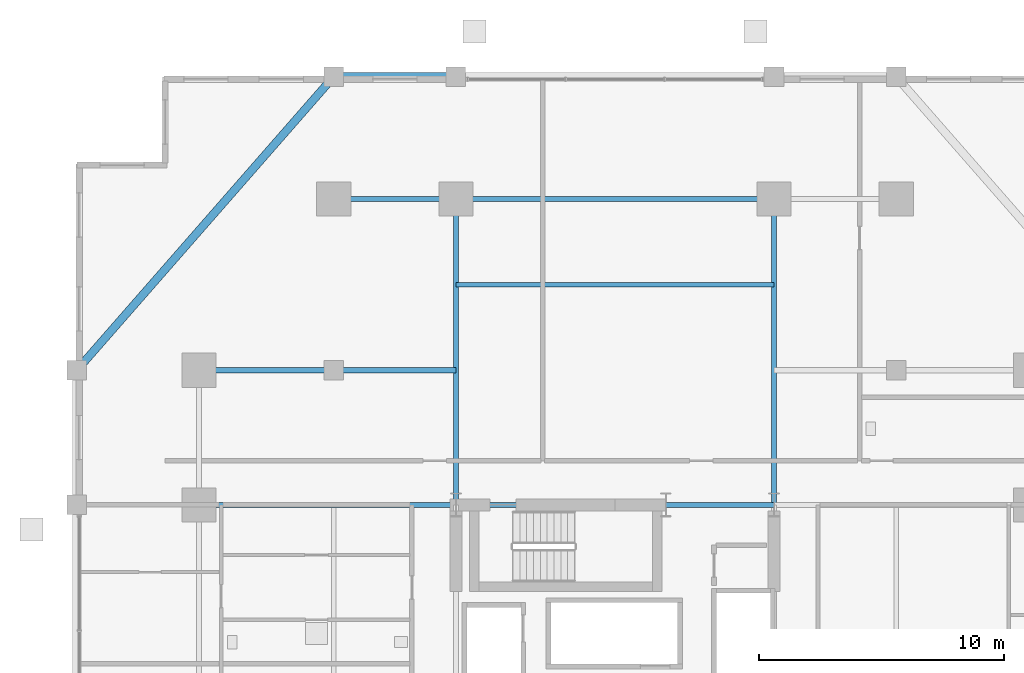
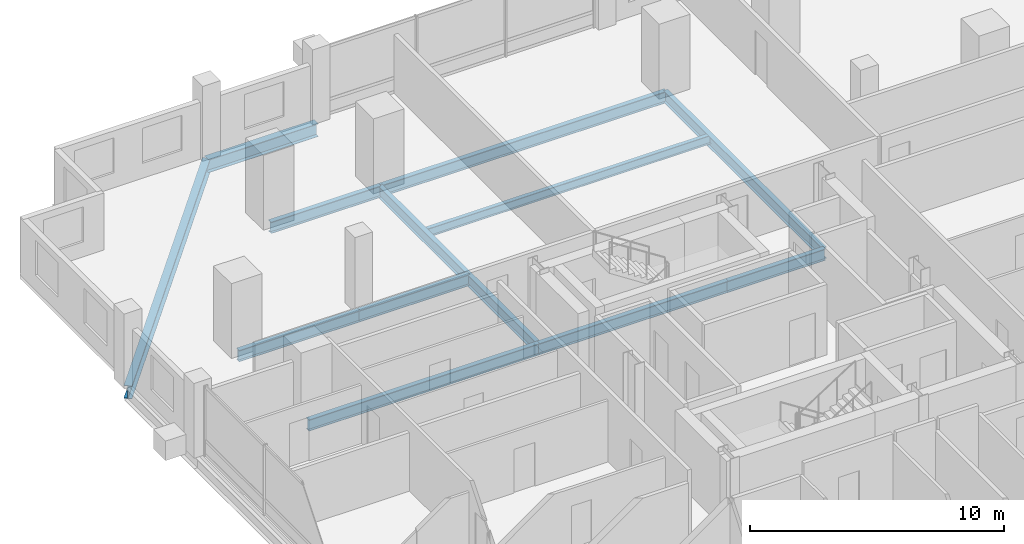
# One storey, part 12 of 23: 12 beams.
"""IFC4 building model written with IfcOpenShell, lengths in metres."""

from ifc_helpers import new_model, si_unit, direction, frame, origin, origin_2d, place, context, subcontext, project, spatial, i_section, extrude, material, material_profile, profile_set, type_object, element, save


model = new_model("IFC4")

# Units and contexts
model_context = context("Model", 3, precision=1e-05, world=origin(), true_north=direction((0.0, 1.0)))
body_context = subcontext(model_context, "Body", "Model", "MODEL_VIEW")
ifc_project = project(units=[si_unit("LENGTHUNIT", "METRE"), si_unit("AREAUNIT", "SQUARE_METRE"), si_unit("VOLUMEUNIT", "CUBIC_METRE"), si_unit("PLANEANGLEUNIT", "RADIAN"), si_unit("MASSUNIT", "GRAM", prefix="KILO")], contexts=[model_context])

# Site, building, storey
site_placement = place(None, origin())
site = spatial("IfcSite", under=ifc_project, at=site_placement, CompositionType="ELEMENT")
building_placement = place(site_placement, origin())
building = spatial("IfcBuilding", under=site, at=building_placement, Name="Barlavira Tower and Art Museum", CompositionType="ELEMENT")
storey_placement = place(building_placement, frame((0.0, 0.0, 54.0)))
storey = spatial("IfcBuildingStorey", under=building, at=storey_placement, Name="L12", CompositionType="ELEMENT", Elevation=54.0)

# Beams
ifc_material = material(Name="Steel S355", Category="steel")
ifc_material_profile_1 = material_profile(ifc_material, i_section(OverallWidth=0.327880859375, OverallDepth=0.62890625, WebThickness=0.013916015625, FlangeThickness=0.021484375, at=origin_2d()), Name="W610x174.0")
ifc_profile_set_1 = profile_set([ifc_material_profile_1], Name="Steel S355")
beam_type_1 = type_object("IfcBeamType", Name="Perimeter Spandrel Edge Beam W610x174 Steel S355", PredefinedType="SPANDREL", material=ifc_profile_set_1)
beam_1_placement = place(storey_placement, frame((-11.5, 25.0, -0.534423828125), z_axis=(1.0, 0.0, 0.0), x_axis=(0.0, 1.0, 0.0)))
element("IfcBeam", 1, at=beam_1_placement, inside=storey, type_object=beam_type_1, Name="L12 Spandrel 11", PredefinedType="SPANDREL", context=body_context, shape_type="SweptSolid", body=[
    extrude(i_section(OverallWidth=0.327880859375, OverallDepth=0.62890625, WebThickness=0.013916015625, FlangeThickness=0.021484375, at=origin_2d()), origin(), (0.0, 0.0, 1.0), 5.0),
])
beam_2_placement = place(storey_placement, frame((-11.5, 25.0, -0.534423828125), z_axis=(-0.658504607869, -0.752576694707, 0.0), x_axis=(0.752576694707, -0.658504607869, 0.0)))
element("IfcBeam", 2, at=beam_2_placement, inside=storey, type_object=beam_type_1, Name="L12 Spandrel 12", PredefinedType="SPANDREL", context=body_context, shape_type="SweptSolid", body=[
    extrude(i_section(OverallWidth=0.327880859375, OverallDepth=0.62890625, WebThickness=0.013916015625, FlangeThickness=0.021484375, at=origin_2d()), origin(), (0.0, 0.0, 1.0), 15.9453125),
])
ifc_material_profile_2 = material_profile(ifc_material, i_section(OverallWidth=0.180908203125, OverallDepth=0.4169921875, WebThickness=0.010986328125, FlangeThickness=0.018310546875, at=origin_2d()), Name="W410x85.0")
ifc_profile_set_2 = profile_set([ifc_material_profile_2], Name="Steel S355")
beam_type_2 = type_object("IfcBeamType", Name="Zone 1 Composite Floor Joist W410x85 Steel S355", PredefinedType="JOIST", material=ifc_profile_set_2)
beam_3_placement = place(storey_placement, frame((-6.5, 16.5, -0.428466796875), z_axis=(1.0, 0.0, 0.0), x_axis=(0.0, 1.0, 0.0)))
element("IfcBeam", 3, at=beam_3_placement, inside=storey, type_object=beam_type_2, Name="L12 Joist C2", PredefinedType="JOIST", context=body_context, shape_type="SweptSolid", body=[
    extrude(i_section(OverallWidth=0.180908203125, OverallDepth=0.4169921875, WebThickness=0.010986328125, FlangeThickness=0.018310546875, at=origin_2d()), origin(), (0.0, 0.0, 1.0), 13.0),
])
ifc_material_profile_3 = material_profile(ifc_material, i_section(OverallWidth=0.214111328125, OverallDepth=0.549072265625, WebThickness=0.0146484375, FlangeThickness=0.023681640625, at=origin_2d()), Name="W530x138.0")
ifc_profile_set_3 = profile_set([ifc_material_profile_3], Name="Steel S355")
beam_type_3 = type_object("IfcBeamType", Name="Zone 1 Primary Floor Girder W530x138 Steel S355", PredefinedType="BEAM", material=ifc_profile_set_3)
beam_4_placement = place(storey_placement, frame((-6.5, 7.5, -0.494384765625), z_axis=(1.0, 0.0, 0.0), x_axis=(0.0, 1.0, 0.0)))
element("IfcBeam", 4, at=beam_4_placement, inside=storey, type_object=beam_type_3, Name="L12 Girder C-N1", PredefinedType="BEAM", context=body_context, shape_type="SweptSolid", body=[
    extrude(i_section(OverallWidth=0.214111328125, OverallDepth=0.549072265625, WebThickness=0.0146484375, FlangeThickness=0.023681640625, at=origin_2d()), origin(), (0.0, 0.0, 1.0), 8.580078125),
])
beam_5_placement = place(storey_placement, frame((2.080078125, 7.5, -0.494384765625), z_axis=(1.0, 0.0, 0.0), x_axis=(0.0, 1.0, 0.0)))
element("IfcBeam", 5, at=beam_5_placement, inside=storey, type_object=beam_type_3, Name="L12 Girder C-N2", PredefinedType="BEAM", context=body_context, shape_type="SweptSolid", body=[
    extrude(i_section(OverallWidth=0.214111328125, OverallDepth=0.549072265625, WebThickness=0.0146484375, FlangeThickness=0.023681640625, at=origin_2d()), origin(), (0.0, 0.0, 1.0), 4.419921875),
])
beam_6_placement = place(storey_placement, frame((-11.5, 20.0, -0.494384765625), z_axis=(1.0, 0.0, 0.0), x_axis=(0.0, 1.0, 0.0)))
element("IfcBeam", 6, at=beam_6_placement, inside=storey, type_object=beam_type_3, Name="L12 Girder M-N1", PredefinedType="BEAM", context=body_context, shape_type="SweptSolid", body=[
    extrude(i_section(OverallWidth=0.214111328125, OverallDepth=0.549072265625, WebThickness=0.0146484375, FlangeThickness=0.023681640625, at=origin_2d()), origin(), (0.0, 0.0, 1.0), 5.0),
])
beam_7_placement = place(storey_placement, frame((-6.5, 20.0, -0.494384765625), z_axis=(1.0, 0.0, 0.0), x_axis=(0.0, 1.0, 0.0)))
element("IfcBeam", 7, at=beam_7_placement, inside=storey, type_object=beam_type_3, Name="L12 Girder M-N2", PredefinedType="BEAM", context=body_context, shape_type="SweptSolid", body=[
    extrude(i_section(OverallWidth=0.214111328125, OverallDepth=0.549072265625, WebThickness=0.0146484375, FlangeThickness=0.023681640625, at=origin_2d()), origin(), (0.0, 0.0, 1.0), 13.0),
])
for number, where, z_axis, x_axis, name in (
    (8, (-6.5, 7.5, -0.494384765625), (0.0, 1.0, 0.0), (-1.0, 0.0, 0.0), "L12 Girder R-N1"),
    (9, (6.5, 7.5, -0.494384765625), (0.0, 1.0, 0.0), (-1.0, 0.0, 0.0), "L12 Girder R-N2"),
):
    element("IfcBeam", number, at=place(storey_placement, frame(where, z_axis=z_axis, x_axis=x_axis)), inside=storey, type_object=beam_type_3, Name=name, PredefinedType="BEAM", context=body_context, shape_type="SweptSolid", body=[
        extrude(i_section(OverallWidth=0.214111328125, OverallDepth=0.549072265625, WebThickness=0.0146484375, FlangeThickness=0.023681640625, at=origin_2d()), origin(), (0.0, 0.0, 1.0), 12.5),
    ])
beam_8_placement = place(storey_placement, frame((-17.0, 7.5, -0.494384765625), z_axis=(1.0, 0.0, 0.0), x_axis=(0.0, 1.0, 0.0)))
element("IfcBeam", 10, at=beam_8_placement, inside=storey, type_object=beam_type_3, Name="L12 Girder R-W2", PredefinedType="BEAM", context=body_context, shape_type="SweptSolid", body=[
    extrude(i_section(OverallWidth=0.214111328125, OverallDepth=0.549072265625, WebThickness=0.0146484375, FlangeThickness=0.023681640625, at=origin_2d()), origin(), (0.0, 0.0, 1.0), 10.5),
])
beam_9_placement = place(storey_placement, frame((-17.0, 13.0, -0.494384765625), z_axis=(1.0, 0.0, 0.0), x_axis=(0.0, 1.0, 0.0)))
element("IfcBeam", 11, at=beam_9_placement, inside=storey, type_object=beam_type_3, Name="L12 Girder I-N1", PredefinedType="BEAM", context=body_context, shape_type="SweptSolid", body=[
    extrude(i_section(OverallWidth=0.214111328125, OverallDepth=0.549072265625, WebThickness=0.0146484375, FlangeThickness=0.023681640625, at=origin_2d()), origin(), (0.0, 0.0, 1.0), 5.5),
])
beam_10_placement = place(storey_placement, frame((-11.5, 13.0, -0.494384765625), z_axis=(1.0, 0.0, 0.0), x_axis=(0.0, 1.0, 0.0)))
element("IfcBeam", 12, at=beam_10_placement, inside=storey, type_object=beam_type_3, Name="L12 Girder I-N2", PredefinedType="BEAM", context=body_context, shape_type="SweptSolid", body=[
    extrude(i_section(OverallWidth=0.214111328125, OverallDepth=0.549072265625, WebThickness=0.0146484375, FlangeThickness=0.023681640625, at=origin_2d()), origin(), (0.0, 0.0, 1.0), 5.0),
])

save(model, "model.ifc")
